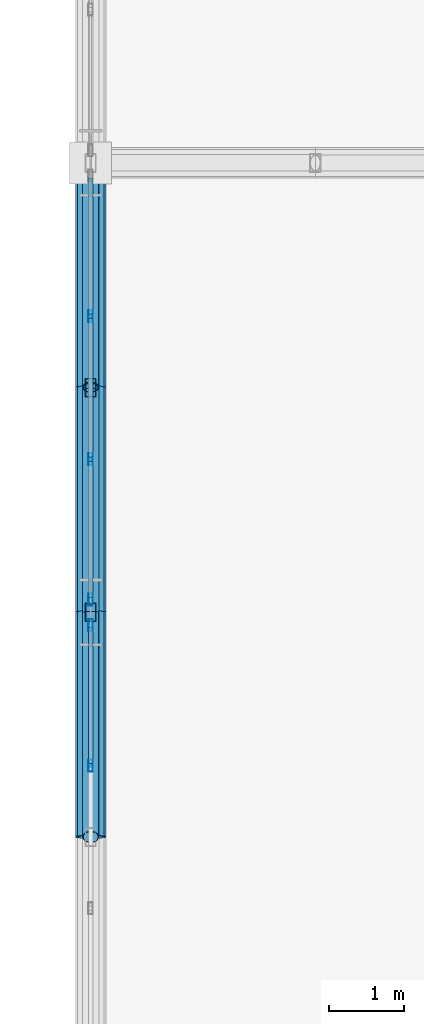
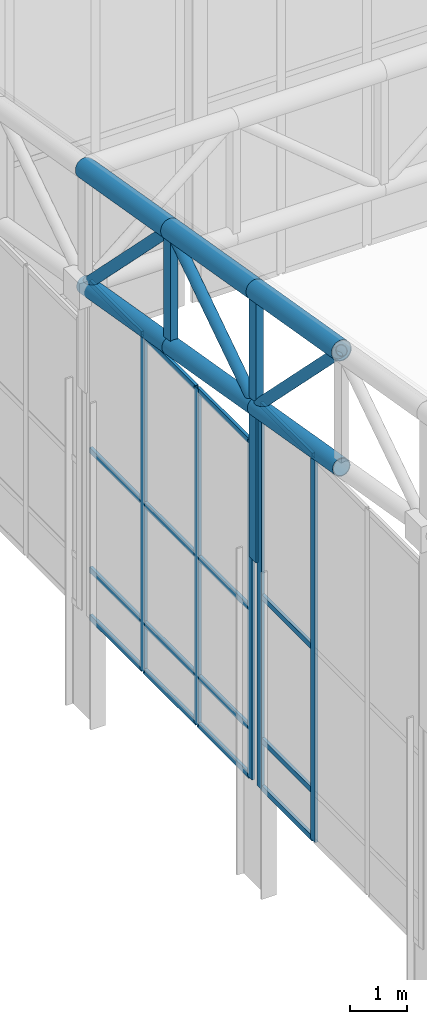
# One storey, part 98 of 239: 32 members, 2 elements without a shape of their own.
"""IFC4 building model written with IfcOpenShell, lengths in metres."""

from ifc_helpers import new_model, si_unit, direction, frame, origin, origin_2d, place, context, subcontext, project, spatial, hollow_rectangle, hollow_circle, extrude, material, material_profile, profile_set, type_object, element, aggregate, save


model = new_model("IFC4")

# Units and contexts
model_context = context("Model", 3, precision=1e-05, world=origin(), true_north=direction((0.0, 1.0)))
body_context = subcontext(model_context, "Body", "Model", "MODEL_VIEW")
ifc_project = project(units=[si_unit("LENGTHUNIT", "METRE"), si_unit("AREAUNIT", "SQUARE_METRE"), si_unit("VOLUMEUNIT", "CUBIC_METRE"), si_unit("PLANEANGLEUNIT", "RADIAN"), si_unit("MASSUNIT", "GRAM", prefix="KILO")], contexts=[model_context])

# Site, building, storey
site_placement = place(None, origin())
site = spatial("IfcSite", under=ifc_project, at=site_placement, CompositionType="ELEMENT")
building_placement = place(site_placement, origin())
building = spatial("IfcBuilding", under=site, at=building_placement, Name="Kaldris Quays Convention Centre", CompositionType="ELEMENT")
storey_placement = place(building_placement, frame((0.0, 0.0, 11.39990234375)))
storey = spatial("IfcBuildingStorey", under=building, at=storey_placement, Name="L02", CompositionType="ELEMENT", Elevation=11.39990234375)

# Curtain wall, members
ifc_material_1 = material(Name="Anodized aluminium AW-6060 and triple glazing", Category="aluminium")
curtain_wall_type = type_object("IfcCurtainWallType", Name="UNITISED CURTAIN WALL CW03", PredefinedType="NOTDEFINED", material=ifc_material_1)
curtain_wall_1_placement = place(storey_placement, origin())
curtain_wall_1 = element("IfcCurtainWall", 1, at=curtain_wall_1_placement, inside=storey, type_object=curtain_wall_type, Name="L02 Unitised Curtain Wall CW03 223", PredefinedType="NOTDEFINED")
ifc_material_2 = material(Name="Anodized aluminium AW-6060", Category="aluminium")
ifc_material_profile_1 = material_profile(ifc_material_2, hollow_rectangle(XDim=0.06005859375, YDim=0.159912109375, WallThickness=0.00390625, at=origin_2d()), Name="RHS 160x60x4")
ifc_profile_set_1 = profile_set([ifc_material_profile_1], Name="Anodized aluminium AW-6060")
member_type_1 = type_object("IfcMemberType", Name="CURTAIN MULLION CWM1", PredefinedType="MULLION", material=ifc_profile_set_1)
member_1_placement = place(storey_placement, frame((20.0, 119.953369140625, 2.195068359375), z_axis=(0.0, 0.0, 1.0), x_axis=(-1.0, 0.0, 0.0)))
member_1 = element("IfcMember", 2, at=member_1_placement, type_object=member_type_1, Name="CW03 mullion 3", PredefinedType="MULLION", context=body_context, shape_type="SweptSolid", body=[
    extrude(hollow_rectangle(XDim=0.06005859375, YDim=0.159912109375, WallThickness=0.00390625, at=origin_2d()), origin(), (0.0, 0.0, 1.0), 8.255126953125),
])
member_2_placement = place(storey_placement, frame((20.0, 121.830078125, 2.195068359375), z_axis=(0.0, 0.0, 1.0), x_axis=(-1.0, 0.0, 0.0)))
member_2 = element("IfcMember", 3, at=member_2_placement, type_object=member_type_1, Name="CW03 mullion 4", PredefinedType="MULLION", context=body_context, shape_type="SweptSolid", body=[
    extrude(hollow_rectangle(XDim=0.06005859375, YDim=0.159912109375, WallThickness=0.00390625, at=origin_2d()), origin(), (0.0, 0.0, 1.0), 8.255126953125),
])

curtain_wall_2_placement = place(storey_placement, origin())
curtain_wall_2 = element("IfcCurtainWall", 4, at=curtain_wall_2_placement, inside=storey, type_object=curtain_wall_type, Name="L02 Unitised Curtain Wall CW03 224", PredefinedType="NOTDEFINED")
member_3_placement = place(storey_placement, frame((20.0, 122.169921875, 2.195068359375), z_axis=(0.0, 0.0, 1.0), x_axis=(-1.0, 0.0, 0.0)))
member_3 = element("IfcMember", 5, at=member_3_placement, type_object=member_type_1, Name="CW03 mullion 1", PredefinedType="MULLION", context=body_context, shape_type="SweptSolid", body=[
    extrude(hollow_rectangle(XDim=0.06005859375, YDim=0.159912109375, WallThickness=0.00390625, at=origin_2d()), origin(), (0.0, 0.0, 1.0), 7.22607421875),
])
member_4_placement = place(storey_placement, frame((20.0, 124.046630859375, 2.195068359375), z_axis=(0.0, 0.0, 1.0), x_axis=(-1.0, 0.0, 0.0)))
member_4 = element("IfcMember", 6, at=member_4_placement, type_object=member_type_1, Name="CW03 mullion 2", PredefinedType="MULLION", context=body_context, shape_type="SweptSolid", body=[
    extrude(hollow_rectangle(XDim=0.06005859375, YDim=0.159912109375, WallThickness=0.00390625, at=origin_2d()), origin(), (0.0, 0.0, 1.0), 7.22607421875),
])
member_5_placement = place(storey_placement, frame((20.0, 125.953369140625, 2.195068359375), z_axis=(0.0, 0.0, 1.0), x_axis=(-1.0, 0.0, 0.0)))
member_5 = element("IfcMember", 7, at=member_5_placement, type_object=member_type_1, Name="CW03 mullion 3", PredefinedType="MULLION", context=body_context, shape_type="SweptSolid", body=[
    extrude(hollow_rectangle(XDim=0.06005859375, YDim=0.159912109375, WallThickness=0.00390625, at=origin_2d()), origin(), (0.0, 0.0, 1.0), 7.22607421875),
])

# Member
ifc_material_profile_2 = material_profile(ifc_material_2, hollow_rectangle(XDim=0.06005859375, YDim=0.1201171875, WallThickness=0.00390625, at=origin_2d()), Name="RHS 120x60x4")
ifc_profile_set_2 = profile_set([ifc_material_profile_2], Name="Anodized aluminium AW-6060")
member_type_2 = type_object("IfcMemberType", Name="CURTAIN TRANSOM CWT1", PredefinedType="USERDEFINED", material=ifc_profile_set_2)
member_6_placement = place(storey_placement, frame((20.0, 119.9833984375, 2.22509765625), z_axis=(0.0, 1.0, 0.0), x_axis=(-1.0, 0.0, 0.0)))
member_6 = element("IfcMember", 8, at=member_6_placement, type_object=member_type_2, Name="CW03 transom 3.1", ObjectType="TRANSOM", PredefinedType="USERDEFINED", context=body_context, shape_type="SweptSolid", body=[
    extrude(hollow_rectangle(XDim=0.06005859375, YDim=0.1201171875, WallThickness=0.00390625, at=origin_2d()), origin(), (0.0, 0.0, 1.0), 1.816650390625),
])

member_7_placement = place(storey_placement, frame((20.0, 119.9833984375, 3.2451171875), z_axis=(0.0, 1.0, 0.0), x_axis=(-1.0, 0.0, 0.0)))
member_7 = element("IfcMember", 9, at=member_7_placement, type_object=member_type_2, Name="CW03 transom 3.2", ObjectType="TRANSOM", PredefinedType="USERDEFINED", context=body_context, shape_type="SweptSolid", body=[
    extrude(hollow_rectangle(XDim=0.06005859375, YDim=0.1201171875, WallThickness=0.00390625, at=origin_2d()), origin(), (0.0, 0.0, 1.0), 1.816650390625),
])

member_8_placement = place(storey_placement, frame((20.0, 119.9833984375, 6.322998046875), z_axis=(0.0, 1.0, 0.0), x_axis=(-1.0, 0.0, 0.0)))
member_8 = element("IfcMember", 10, at=member_8_placement, type_object=member_type_2, Name="CW03 transom 3.3", ObjectType="TRANSOM", PredefinedType="USERDEFINED", context=body_context, shape_type="SweptSolid", body=[
    extrude(hollow_rectangle(XDim=0.06005859375, YDim=0.1201171875, WallThickness=0.00390625, at=origin_2d()), origin(), (0.0, 0.0, 1.0), 1.816650390625),
])

member_9_placement = place(storey_placement, frame((20.0, 119.9833984375, 10.420166015625), z_axis=(0.0, 1.0, 0.0), x_axis=(-1.0, 0.0, 0.0)))
member_9 = element("IfcMember", 11, at=member_9_placement, type_object=member_type_2, Name="CW03 transom 3.4", ObjectType="TRANSOM", PredefinedType="USERDEFINED", context=body_context, shape_type="SweptSolid", body=[
    extrude(hollow_rectangle(XDim=0.06005859375, YDim=0.1201171875, WallThickness=0.00390625, at=origin_2d()), origin(), (0.0, 0.0, 1.0), 1.816650390625),
])

aggregate(curtain_wall_1, [member_1, member_2, member_6, member_7, member_8, member_9])

member_10_placement = place(storey_placement, frame((20.0, 122.199951171875, 2.22509765625), z_axis=(0.0, 1.0, 0.0), x_axis=(-1.0, 0.0, 0.0)))
member_10 = element("IfcMember", 12, at=member_10_placement, type_object=member_type_2, Name="CW03 transom 1.1", ObjectType="TRANSOM", PredefinedType="USERDEFINED", context=body_context, shape_type="SweptSolid", body=[
    extrude(hollow_rectangle(XDim=0.06005859375, YDim=0.1201171875, WallThickness=0.00390625, at=origin_2d()), origin(), (0.0, 0.0, 1.0), 1.816650390625),
])

member_11_placement = place(storey_placement, frame((20.0, 122.199951171875, 3.2451171875), z_axis=(0.0, 1.0, 0.0), x_axis=(-1.0, 0.0, 0.0)))
member_11 = element("IfcMember", 13, at=member_11_placement, type_object=member_type_2, Name="CW03 transom 1.2", ObjectType="TRANSOM", PredefinedType="USERDEFINED", context=body_context, shape_type="SweptSolid", body=[
    extrude(hollow_rectangle(XDim=0.06005859375, YDim=0.1201171875, WallThickness=0.00390625, at=origin_2d()), origin(), (0.0, 0.0, 1.0), 1.816650390625),
])

member_12_placement = place(storey_placement, frame((20.0, 122.199951171875, 5.80810546875), z_axis=(0.0, 1.0, 0.0), x_axis=(-1.0, 0.0, 0.0)))
member_12 = element("IfcMember", 14, at=member_12_placement, type_object=member_type_2, Name="CW03 transom 1.3", ObjectType="TRANSOM", PredefinedType="USERDEFINED", context=body_context, shape_type="SweptSolid", body=[
    extrude(hollow_rectangle(XDim=0.06005859375, YDim=0.1201171875, WallThickness=0.00390625, at=origin_2d()), origin(), (0.0, 0.0, 1.0), 1.816650390625),
])

member_13_placement = place(storey_placement, frame((20.0, 122.199951171875, 9.39111328125), z_axis=(0.0, 1.0, 0.0), x_axis=(-1.0, 0.0, 0.0)))
member_13 = element("IfcMember", 15, at=member_13_placement, type_object=member_type_2, Name="CW03 transom 1.4", ObjectType="TRANSOM", PredefinedType="USERDEFINED", context=body_context, shape_type="SweptSolid", body=[
    extrude(hollow_rectangle(XDim=0.06005859375, YDim=0.1201171875, WallThickness=0.00390625, at=origin_2d()), origin(), (0.0, 0.0, 1.0), 1.816650390625),
])

member_14_placement = place(storey_placement, frame((20.0, 124.07666015625, 2.22509765625), z_axis=(0.0, 1.0, 0.0), x_axis=(-1.0, 0.0, 0.0)))
member_14 = element("IfcMember", 16, at=member_14_placement, type_object=member_type_2, Name="CW03 transom 2.1", ObjectType="TRANSOM", PredefinedType="USERDEFINED", context=body_context, shape_type="SweptSolid", body=[
    extrude(hollow_rectangle(XDim=0.06005859375, YDim=0.1201171875, WallThickness=0.00390625, at=origin_2d()), origin(), (0.0, 0.0, 1.0), 1.8466796875),
])

member_15_placement = place(storey_placement, frame((20.0, 124.07666015625, 3.2451171875), z_axis=(0.0, 1.0, 0.0), x_axis=(-1.0, 0.0, 0.0)))
member_15 = element("IfcMember", 17, at=member_15_placement, type_object=member_type_2, Name="CW03 transom 2.2", ObjectType="TRANSOM", PredefinedType="USERDEFINED", context=body_context, shape_type="SweptSolid", body=[
    extrude(hollow_rectangle(XDim=0.06005859375, YDim=0.1201171875, WallThickness=0.00390625, at=origin_2d()), origin(), (0.0, 0.0, 1.0), 1.8466796875),
])

member_16_placement = place(storey_placement, frame((20.0, 124.07666015625, 5.80810546875), z_axis=(0.0, 1.0, 0.0), x_axis=(-1.0, 0.0, 0.0)))
member_16 = element("IfcMember", 18, at=member_16_placement, type_object=member_type_2, Name="CW03 transom 2.3", ObjectType="TRANSOM", PredefinedType="USERDEFINED", context=body_context, shape_type="SweptSolid", body=[
    extrude(hollow_rectangle(XDim=0.06005859375, YDim=0.1201171875, WallThickness=0.00390625, at=origin_2d()), origin(), (0.0, 0.0, 1.0), 1.8466796875),
])

member_17_placement = place(storey_placement, frame((20.0, 124.07666015625, 9.39111328125), z_axis=(0.0, 1.0, 0.0), x_axis=(-1.0, 0.0, 0.0)))
member_17 = element("IfcMember", 19, at=member_17_placement, type_object=member_type_2, Name="CW03 transom 2.4", ObjectType="TRANSOM", PredefinedType="USERDEFINED", context=body_context, shape_type="SweptSolid", body=[
    extrude(hollow_rectangle(XDim=0.06005859375, YDim=0.1201171875, WallThickness=0.00390625, at=origin_2d()), origin(), (0.0, 0.0, 1.0), 1.8466796875),
])

member_18_placement = place(storey_placement, frame((20.0, 125.9833984375, 2.22509765625), z_axis=(0.0, 1.0, 0.0), x_axis=(-1.0, 0.0, 0.0)))
member_18 = element("IfcMember", 20, at=member_18_placement, type_object=member_type_2, Name="CW03 transom 3.1", ObjectType="TRANSOM", PredefinedType="USERDEFINED", context=body_context, shape_type="SweptSolid", body=[
    extrude(hollow_rectangle(XDim=0.06005859375, YDim=0.1201171875, WallThickness=0.00390625, at=origin_2d()), origin(), (0.0, 0.0, 1.0), 1.816650390625),
])

member_19_placement = place(storey_placement, frame((20.0, 125.9833984375, 3.2451171875), z_axis=(0.0, 1.0, 0.0), x_axis=(-1.0, 0.0, 0.0)))
member_19 = element("IfcMember", 21, at=member_19_placement, type_object=member_type_2, Name="CW03 transom 3.2", ObjectType="TRANSOM", PredefinedType="USERDEFINED", context=body_context, shape_type="SweptSolid", body=[
    extrude(hollow_rectangle(XDim=0.06005859375, YDim=0.1201171875, WallThickness=0.00390625, at=origin_2d()), origin(), (0.0, 0.0, 1.0), 1.816650390625),
])

member_20_placement = place(storey_placement, frame((20.0, 125.9833984375, 5.80810546875), z_axis=(0.0, 1.0, 0.0), x_axis=(-1.0, 0.0, 0.0)))
member_20 = element("IfcMember", 22, at=member_20_placement, type_object=member_type_2, Name="CW03 transom 3.3", ObjectType="TRANSOM", PredefinedType="USERDEFINED", context=body_context, shape_type="SweptSolid", body=[
    extrude(hollow_rectangle(XDim=0.06005859375, YDim=0.1201171875, WallThickness=0.00390625, at=origin_2d()), origin(), (0.0, 0.0, 1.0), 1.816650390625),
])

member_21_placement = place(storey_placement, frame((20.0, 125.9833984375, 9.39111328125), z_axis=(0.0, 1.0, 0.0), x_axis=(-1.0, 0.0, 0.0)))
member_21 = element("IfcMember", 23, at=member_21_placement, type_object=member_type_2, Name="CW03 transom 3.4", ObjectType="TRANSOM", PredefinedType="USERDEFINED", context=body_context, shape_type="SweptSolid", body=[
    extrude(hollow_rectangle(XDim=0.06005859375, YDim=0.1201171875, WallThickness=0.00390625, at=origin_2d()), origin(), (0.0, 0.0, 1.0), 1.816650390625),
])

aggregate(curtain_wall_2, [member_3, member_4, member_5, member_10, member_11, member_12, member_13, member_14, member_15, member_16, member_17, member_18, member_19, member_20, member_21])

# Members
ifc_material_3 = material(Name="Steel S355J2H", Category="steel")
ifc_material_profile_3 = material_profile(ifc_material_3, hollow_circle(Radius=0.203125, WallThickness=0.01611328125, at=origin_2d()), Name="CHS 406.4x16")
ifc_profile_set_3 = profile_set([ifc_material_profile_3], Name="Steel S355J2H")
member_type_3 = type_object("IfcMemberType", Name="STRUCTURAL MEMBER SC01", PredefinedType="CHORD", material=ifc_profile_set_3)
for number, where, z_axis, x_axis, name in (
    (24, (20.0, 119.0, 13.27197265625), (0.0, 0.985615766076, -0.169001661712), (-1.0, 0.0, 0.0), "SF-V1 Top Chord Y 358"),
    (25, (20.0, 122.0, 12.757568359375), (0.0, 0.98562912375, -0.168923741424), (-1.0, 0.0, 0.0), "SF-V1 Top Chord Y 359"),
    (26, (20.0, 125.0, 12.243408203125), (0.0, 0.985615766076, -0.169001661712), (-1.0, 0.0, 0.0), "SF-V1 Top Chord Y 360"),
):
    element("IfcMember", number, at=place(storey_placement, frame(where, z_axis=z_axis, x_axis=x_axis)), inside=storey, type_object=member_type_3, Name=name, PredefinedType="CHORD", context=body_context, shape_type="SweptSolid", body=[
        extrude(hollow_circle(Radius=0.203125, WallThickness=0.01611328125, at=origin_2d()), origin(), (0.0, 0.0, 1.0), 3.043701171875),
    ])
ifc_material_profile_4 = material_profile(ifc_material_3, hollow_circle(Radius=0.177734375, WallThickness=0.01611328125, at=origin_2d()), Name="CHS 355.6x16")
ifc_profile_set_4 = profile_set([ifc_material_profile_4], Name="Steel S355J2H")
member_type_4 = type_object("IfcMemberType", Name="STRUCTURAL MEMBER SC02", PredefinedType="CHORD", material=ifc_profile_set_4)
for number, where, z_axis, x_axis, name in (
    (27, (20.0, 119.0, 10.77197265625), (0.0, 0.985615766076, -0.169001661712), (-1.0, 0.0, 0.0), "SF-V1 Bottom Chord Y 358"),
    (28, (20.0, 122.0, 10.257568359375), (0.0, 0.98562912375, -0.168923741424), (-1.0, 0.0, 0.0), "SF-V1 Bottom Chord Y 359"),
    (29, (20.0, 125.0, 9.743408203125), (0.0, 0.985615766076, -0.169001661712), (-1.0, 0.0, 0.0), "SF-V1 Bottom Chord Y 360"),
):
    element("IfcMember", number, at=place(storey_placement, frame(where, z_axis=z_axis, x_axis=x_axis)), inside=storey, type_object=member_type_4, Name=name, PredefinedType="CHORD", context=body_context, shape_type="SweptSolid", body=[
        extrude(hollow_circle(Radius=0.177734375, WallThickness=0.01611328125, at=origin_2d()), origin(), (0.0, 0.0, 1.0), 3.043701171875),
    ])
ifc_material_profile_5 = material_profile(ifc_material_3, hollow_circle(Radius=0.109619140625, WallThickness=0.010009765625, at=origin_2d()), Name="CHS 219.1x10")
ifc_profile_set_5 = profile_set([ifc_material_profile_5], Name="Steel S355J2H")
member_type_5 = type_object("IfcMemberType", Name="STRUCTURAL MEMBER SWB1", PredefinedType="BRACE", material=ifc_profile_set_5)
member_22_placement = place(storey_placement, frame((20.0, 122.0, 10.257568359375), z_axis=(0.0, -0.705411261057, 0.708798245465), x_axis=(1.0, 0.0, 0.0)))
element("IfcMember", 30, at=member_22_placement, inside=storey, type_object=member_type_5, Name="SF-V1 Web Diagonal Y 358", PredefinedType="BRACE", context=body_context, shape_type="SweptSolid", body=[
    extrude(hollow_circle(Radius=0.109619140625, WallThickness=0.010009765625, at=origin_2d()), origin(), (0.0, 0.0, 1.0), 4.2529296875),
])
member_23_placement = place(storey_placement, frame((20.0, 122.0, 10.257568359375), z_axis=(0.0, 0.833862389808, 0.551972385962), x_axis=(-1.0, 0.0, 0.0)))
element("IfcMember", 31, at=member_23_placement, inside=storey, type_object=member_type_5, Name="SF-V1 Web Diagonal Y 359", PredefinedType="BRACE", context=body_context, shape_type="SweptSolid", body=[
    extrude(hollow_circle(Radius=0.109619140625, WallThickness=0.010009765625, at=origin_2d()), origin(), (0.0, 0.0, 1.0), 3.59765625),
])
member_24_placement = place(storey_placement, frame((20.0, 128.0, 9.22900390625), z_axis=(0.0, -0.705411261057, 0.708798245465), x_axis=(1.0, 0.0, 0.0)))
element("IfcMember", 32, at=member_24_placement, inside=storey, type_object=member_type_5, Name="SF-V1 Web Diagonal Y 360", PredefinedType="BRACE", context=body_context, shape_type="SweptSolid", body=[
    extrude(hollow_circle(Radius=0.109619140625, WallThickness=0.010009765625, at=origin_2d()), origin(), (0.0, 0.0, 1.0), 4.2529296875),
])
ifc_material_profile_6 = material_profile(ifc_material_3, hollow_rectangle(XDim=0.14990234375, YDim=0.25, WallThickness=0.010009765625, at=origin_2d()), Name="RHS 250x150x10")
ifc_profile_set_6 = profile_set([ifc_material_profile_6], Name="Steel S355J2H")
member_type_6 = type_object("IfcMemberType", Name="STRUCTURAL MEMBER TTV1", PredefinedType="POST", material=ifc_profile_set_6)
member_25_placement = place(storey_placement, frame((20.0, 122.0, 6.994140625), z_axis=(0.0, 0.0, 1.0), x_axis=(1.0, 0.0, 0.0)))
element("IfcMember", 33, at=member_25_placement, inside=storey, type_object=member_type_6, Name="SF-V1 Space-Frame Post 23", PredefinedType="POST", context=body_context, shape_type="SweptSolid", body=[
    extrude(hollow_rectangle(XDim=0.14990234375, YDim=0.25, WallThickness=0.010009765625, at=origin_2d()), origin(), (0.0, 0.0, 1.0), 5.763427734375),
])
member_26_placement = place(storey_placement, frame((20.0, 125.0, 9.743408203125), z_axis=(0.0, 0.0, 1.0), x_axis=(1.0, 0.0, 0.0)))
element("IfcMember", 34, at=member_26_placement, inside=storey, type_object=member_type_6, Name="SF-V1 Space-Frame Post 24", PredefinedType="POST", context=body_context, shape_type="SweptSolid", body=[
    extrude(hollow_rectangle(XDim=0.14990234375, YDim=0.25, WallThickness=0.010009765625, at=origin_2d()), origin(), (0.0, 0.0, 1.0), 2.5),
])

save(model, "model.ifc")
